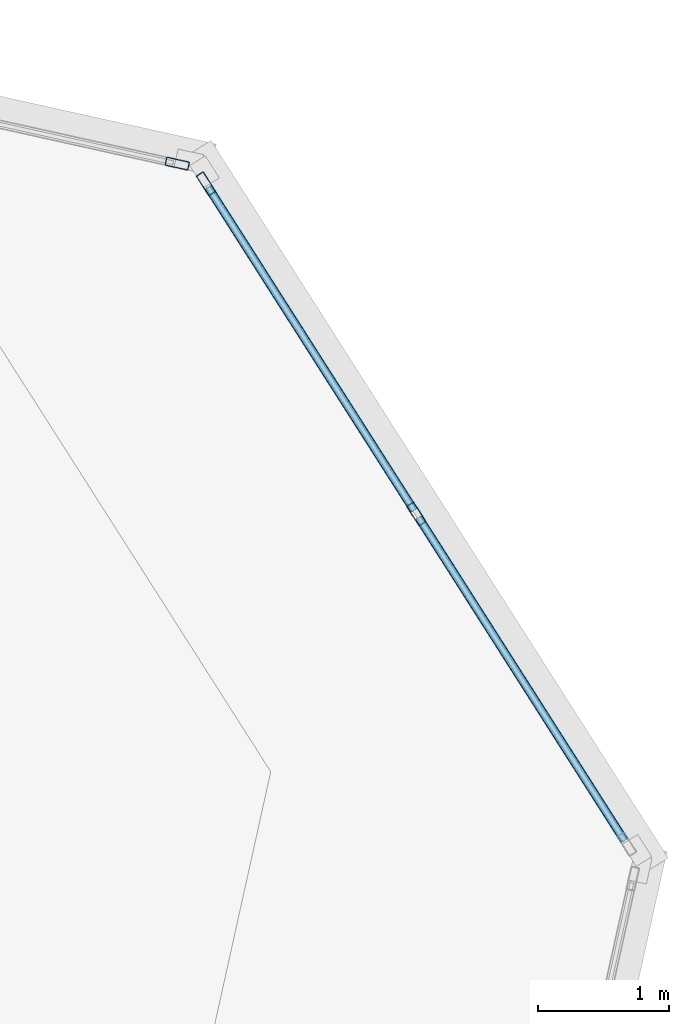
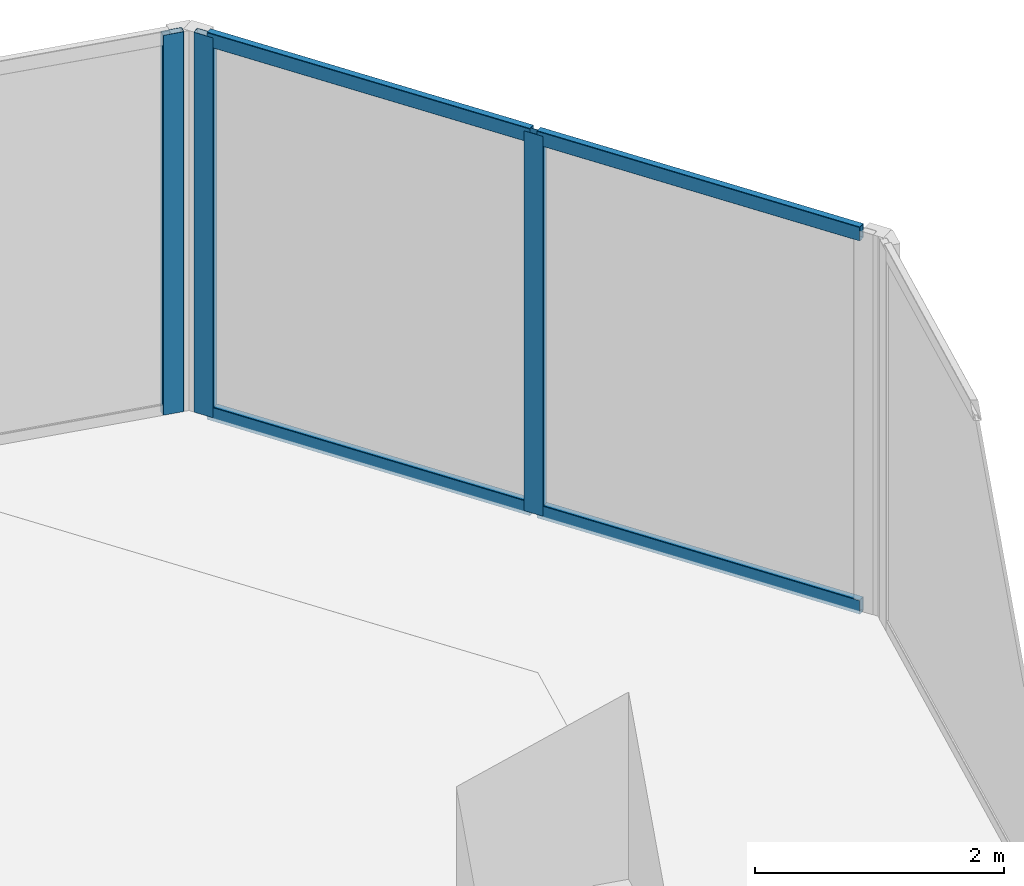
# One storey, part 14 of 25: 7 members, 2 elements without a shape of their own.
"""IFC4 building model written with IfcOpenShell, lengths in metres."""

from ifc_helpers import new_model, si_unit, direction, frame, origin, origin_2d, place, context, subcontext, project, spatial, hollow_rectangle, extrude, source, transform, mapped, material, material_profile, profile_set, type_object, element, aggregate, save


model = new_model("IFC4")

# Units and contexts
model_context = context("Model", 3, precision=1e-05, world=origin(), true_north=direction((0.0, 1.0)))
body_context = subcontext(model_context, "Body", "Model", "MODEL_VIEW")
ifc_project = project(units=[si_unit("LENGTHUNIT", "METRE"), si_unit("AREAUNIT", "SQUARE_METRE"), si_unit("VOLUMEUNIT", "CUBIC_METRE"), si_unit("PLANEANGLEUNIT", "RADIAN"), si_unit("MASSUNIT", "GRAM", prefix="KILO")], contexts=[model_context])

# Site, building, storey
site_placement = place(None, origin())
site = spatial("IfcSite", under=ifc_project, at=site_placement, CompositionType="ELEMENT")
building_placement = place(site_placement, origin())
building = spatial("IfcBuilding", under=site, at=building_placement, Name="Torre Montelarca", CompositionType="ELEMENT")
storey_placement = place(building_placement, frame((0.0, 0.0, 87.39990234375)))
storey = spatial("IfcBuildingStorey", under=building, at=storey_placement, Name="L19", CompositionType="ELEMENT", Elevation=87.39990234375)

# Curtain wall, members
ifc_material_1 = material(Name="Insulated low-E laminated glass", Category="glass")
curtain_wall_type = type_object("IfcCurtainWallType", Name="CW-SYS-Z1", PredefinedType="USERDEFINED", material=ifc_material_1)
curtain_wall_1_placement = place(storey_placement, origin())
curtain_wall_1 = element("IfcCurtainWall", 1, at=curtain_wall_1_placement, inside=storey, type_object=curtain_wall_type, Name="L19 Curtain Wall Run CW-T3-L19-E07-B1", ObjectType="UNITISED GLAZING", PredefinedType="USERDEFINED")
ifc_material_2 = material(Name="Anodised aluminium AA 6063-T6", Category="aluminium")
ifc_material_profile_1 = material_profile(ifc_material_2, hollow_rectangle(XDim=0.06494140625, YDim=0.139892578125, WallThickness=0.00390625, InnerFilletRadius=0.00390625, OuterFilletRadius=0.008056640625, at=origin_2d()), Name="ALU65X140X4", Category="aluminium")
ifc_profile_set_1 = profile_set([ifc_material_profile_1], Name="Anodised aluminium AA 6063-T6")
member_type_1 = type_object("IfcMemberType", Name="CWT-ALU140", PredefinedType="USERDEFINED", material=ifc_profile_set_1)
shared_shape_1 = source(origin(), body_context, "Body", "SweptSolid", [
    extrude(hollow_rectangle(XDim=0.06494140625, YDim=0.139892578125, WallThickness=0.00390625, InnerFilletRadius=0.00390625, OuterFilletRadius=0.008056640625, at=origin_2d()), origin(), (0.0, 0.0, 1.0), 2.9189453125),
])
member_1_placement = place(storey_placement, frame((63.590576171875, 36.88671875, 0.03271484375), z_axis=(-0.53732462987, 0.843375504823, 0.0), x_axis=(-0.843375504823, -0.53732462987, 0.0)))
member_1 = element("IfcMember", 2, at=member_1_placement, type_object=member_type_1, Name="CW transom 2.1", ObjectType="TRANSOM", PredefinedType="USERDEFINED", context=body_context, shape_type="MappedRepresentation", body=[
    mapped(shared_shape_1, transform((0.0, 0.0, 0.0), scale=1.0)),
])
member_2_placement = place(storey_placement, frame((63.590576171875, 36.88671875, 3.6875), z_axis=(-0.53732462987, 0.843375504823, 0.0), x_axis=(-0.843375504823, -0.53732462987, 0.0)))
member_2 = element("IfcMember", 3, at=member_2_placement, type_object=member_type_1, Name="CW transom 2.2", ObjectType="TRANSOM", PredefinedType="USERDEFINED", context=body_context, shape_type="MappedRepresentation", body=[
    mapped(shared_shape_1, transform((0.0, 0.0, 0.0), scale=1.0)),
])
shared_shape_2 = source(origin(), body_context, "Body", "SweptSolid", [
    extrude(hollow_rectangle(XDim=0.06494140625, YDim=0.139892578125, WallThickness=0.00390625, InnerFilletRadius=0.00390625, OuterFilletRadius=0.008056640625, at=origin_2d()), origin(), (0.0, 0.0, 1.0), 2.918701171875),
])
member_3_placement = place(storey_placement, frame((65.193603515625, 34.370361328125, 0.03271484375), z_axis=(-0.537265131857, 0.843413408768, 0.0), x_axis=(-0.843413408768, -0.537265131857, 0.0)))
member_3 = element("IfcMember", 4, at=member_3_placement, type_object=member_type_1, Name="CW transom 1.1", ObjectType="TRANSOM", PredefinedType="USERDEFINED", context=body_context, shape_type="MappedRepresentation", body=[
    mapped(shared_shape_2, transform((0.0, 0.0, 0.0), scale=1.0)),
])
member_4_placement = place(storey_placement, frame((65.193603515625, 34.370361328125, 3.6875), z_axis=(-0.537265131857, 0.843413408768, 0.0), x_axis=(-0.843413408768, -0.537265131857, 0.0)))
member_4 = element("IfcMember", 5, at=member_4_placement, type_object=member_type_1, Name="CW transom 1.2", ObjectType="TRANSOM", PredefinedType="USERDEFINED", context=body_context, shape_type="MappedRepresentation", body=[
    mapped(shared_shape_2, transform((0.0, 0.0, 0.0), scale=1.0)),
])
ifc_material_profile_2 = material_profile(ifc_material_2, hollow_rectangle(XDim=0.06494140625, YDim=0.179931640625, WallThickness=0.00390625, InnerFilletRadius=0.00390625, OuterFilletRadius=0.008056640625, at=origin_2d()), Name="ALU65X180X4", Category="aluminium")
ifc_profile_set_2 = profile_set([ifc_material_profile_2], Name="Anodised aluminium AA 6063-T6")
member_type_2 = type_object("IfcMemberType", Name="CWM-ALU180", PredefinedType="MULLION", material=ifc_profile_set_2)
shared_shape_3 = source(origin(), body_context, "Body", "SweptSolid", [
    extrude(hollow_rectangle(XDim=0.06494140625, YDim=0.179931640625, WallThickness=0.00390625, InnerFilletRadius=0.00390625, OuterFilletRadius=0.008056640625, at=origin_2d()), origin(), (0.0, 0.0, 1.0), 3.72021484375),
])
member_5_placement = place(storey_placement, frame((63.60791015625, 36.859375, 0.0), z_axis=(0.0, 0.0, 1.0), x_axis=(-0.843380828079, -0.537316274487, 0.0)))
member_5 = element("IfcMember", 6, at=member_5_placement, type_object=member_type_2, Name="CW mullion 2", PredefinedType="MULLION", context=body_context, shape_type="MappedRepresentation", body=[
    mapped(shared_shape_3, transform((0.0, 0.0, 0.0), scale=1.0)),
])
member_6_placement = place(storey_placement, frame((62.0048828125, 39.375732421875, 0.0), z_axis=(0.0, 0.0, 1.0), x_axis=(-0.843380828079, -0.537316274487, 0.0)))
member_6 = element("IfcMember", 7, at=member_6_placement, type_object=member_type_2, Name="CW mullion 3", PredefinedType="MULLION", context=body_context, shape_type="MappedRepresentation", body=[
    mapped(shared_shape_3, transform((0.0, 0.0, 0.0), scale=1.0)),
])
aggregate(curtain_wall_1, [member_5, member_6, member_3, member_4, member_1, member_2])

# Curtain wall, member
curtain_wall_2_placement = place(storey_placement, origin())
curtain_wall_2 = element("IfcCurtainWall", 8, at=curtain_wall_2_placement, inside=storey, type_object=curtain_wall_type, Name="L19 Curtain Wall Run CW-T3-L19-E08-B1", ObjectType="UNITISED GLAZING", PredefinedType="USERDEFINED")
member_7_placement = place(storey_placement, frame((61.7861328125, 39.52880859375, 0.0), z_axis=(0.0, 0.0, 1.0), x_axis=(-0.216443272368, -0.976295196058, 0.0)))
member_7 = element("IfcMember", 9, at=member_7_placement, type_object=member_type_2, Name="CW mullion 1", PredefinedType="MULLION", context=body_context, shape_type="MappedRepresentation", body=[
    mapped(shared_shape_3, transform((0.0, 0.0, 0.0), scale=1.0)),
])
aggregate(curtain_wall_2, [member_7])

save(model, "model.ifc")
